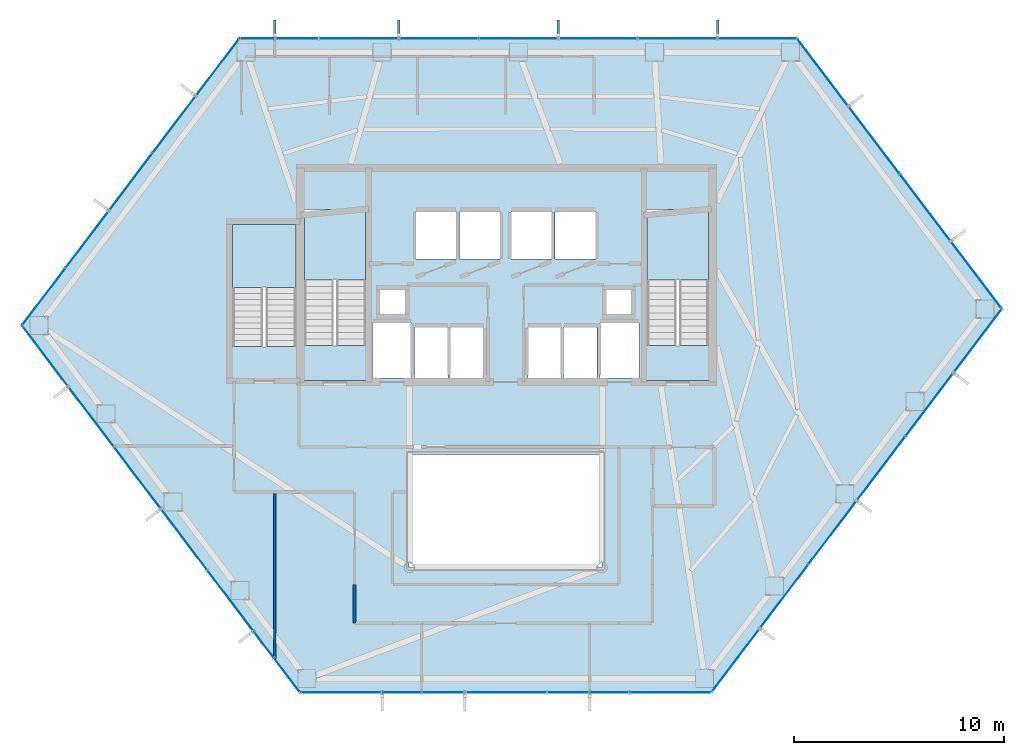
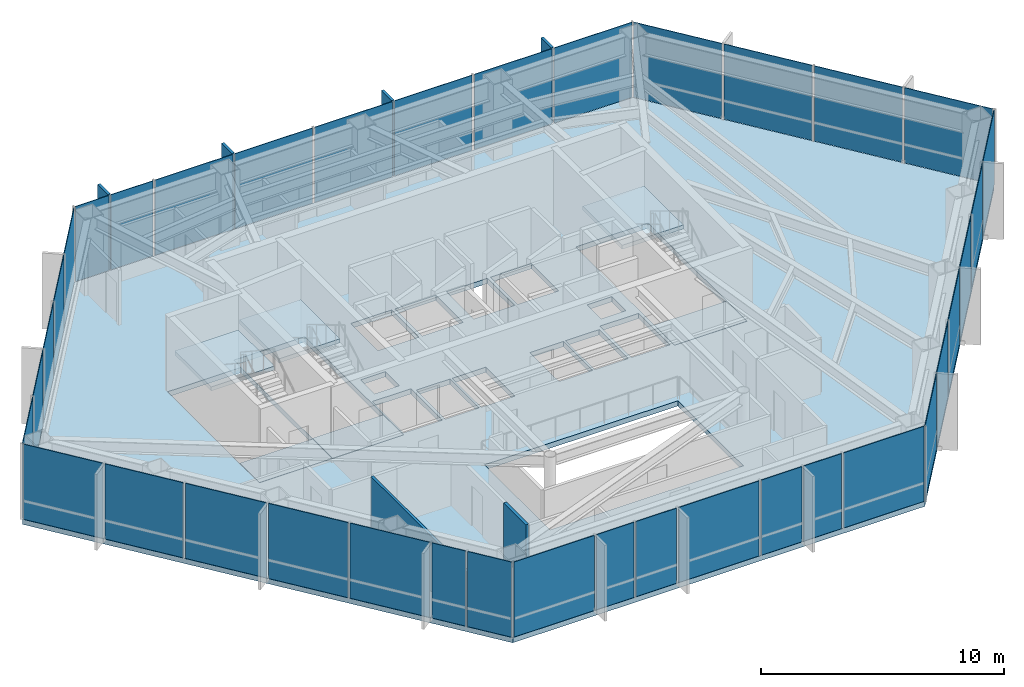
# One storey, part 21 of 25: 37 plates, 7 slabs, 4 members, 2 walls, 9 elements without a shape of their own.
"""IFC4 building model written with IfcOpenShell, lengths in metres."""

from ifc_helpers import new_model, si_unit, direction, frame, frame_2d, origin, origin_2d, place, context, subcontext, project, spatial, polyline, rectangle, outline, extrude, material, layer, layer_set, material_profile, profile_set, type_object, element, aggregate, save


model = new_model("IFC4")

# Units and contexts
model_context = context("Model", 3, precision=1e-05, world=origin(), true_north=direction((0.0, 1.0)))
body_context = subcontext(model_context, "Body", "Model", "MODEL_VIEW")
ifc_project = project(units=[si_unit("LENGTHUNIT", "METRE"), si_unit("AREAUNIT", "SQUARE_METRE"), si_unit("VOLUMEUNIT", "CUBIC_METRE"), si_unit("PLANEANGLEUNIT", "RADIAN"), si_unit("MASSUNIT", "GRAM", prefix="KILO")], contexts=[model_context])

# Site, building, storey
site_placement = place(None, origin())
site = spatial("IfcSite", under=ifc_project, at=site_placement, CompositionType="ELEMENT")
building_placement = place(site_placement, origin())
building = spatial("IfcBuilding", under=site, at=building_placement, Name="Zarrinselat Tower", CompositionType="ELEMENT")
storey_placement = place(building_placement, frame((0.0, 0.0, 88.739990234375)))
storey = spatial("IfcBuildingStorey", under=building, at=storey_placement, Name="L21", CompositionType="ELEMENT", Elevation=88.739990234375)

# Curtain wall, members, plates
ifc_material_1 = material(Name="Extruded Aluminium Alloy EN AW-6063 T6", Category="aluminium")
ifc_layer_1 = layer(ifc_material_1, 0.18505859375)
ifc_layer_set_1 = layer_set([ifc_layer_1], Name="Extruded Aluminium Alloy EN AW-6063 T6")
curtain_wall_type = type_object("IfcCurtainWallType", Name="CWS-OFF", PredefinedType="NOTDEFINED", material=ifc_layer_set_1)
curtain_wall_1_placement = place(storey_placement, origin())
curtain_wall_1 = element("IfcCurtainWall", 1, at=curtain_wall_1_placement, inside=storey, type_object=curtain_wall_type, Name="L21 Unitised Curtain Wall CW-L21-E01", PredefinedType="NOTDEFINED")
ifc_material_2 = material(Name="Honed Cream Travertine Stone", Category="masonry")
ifc_material_profile = material_profile(ifc_material_2, rectangle(XDim=0.1201171875, YDim=0.85009765625, at=origin_2d()), Name="FIN 850x120")
ifc_profile_set = profile_set([ifc_material_profile], Name="Honed Cream Travertine Stone")
member_type = type_object("IfcMemberType", Name="MEM-STONE-FIN", PredefinedType="USERDEFINED", material=ifc_profile_set)
member_1_placement = place(storey_placement, frame((48.493408203125, 50.07666015625, 0.0), z_axis=(0.0, 0.0, 1.0), x_axis=(1.0, 0.0, 0.0)))
member_1 = element("IfcMember", 2, at=member_1_placement, type_object=member_type, Name="L21 Stone Shading Fin CW-L21-E01-01", ObjectType="FIN", PredefinedType="USERDEFINED", context=body_context, shape_type="SweptSolid", body=[
    extrude(rectangle(XDim=0.1201171875, YDim=0.85009765625, at=origin_2d()), origin(), (0.0, 0.0, 1.0), 3.820068359375),
])
member_2_placement = place(storey_placement, frame((40.897216796875, 50.07666015625, 0.0), z_axis=(0.0, 0.0, 1.0), x_axis=(1.0, 0.0, 0.0)))
member_2 = element("IfcMember", 3, at=member_2_placement, type_object=member_type, Name="L21 Stone Shading Fin CW-L21-E01-03", ObjectType="FIN", PredefinedType="USERDEFINED", context=body_context, shape_type="SweptSolid", body=[
    extrude(rectangle(XDim=0.1201171875, YDim=0.85009765625, at=origin_2d()), origin(), (0.0, 0.0, 1.0), 3.820068359375),
])
member_3_placement = place(storey_placement, frame((33.30078125, 50.07666015625, 0.0), z_axis=(0.0, 0.0, 1.0), x_axis=(1.0, 0.0, 0.0)))
member_3 = element("IfcMember", 4, at=member_3_placement, type_object=member_type, Name="L21 Stone Shading Fin CW-L21-E01-05", ObjectType="FIN", PredefinedType="USERDEFINED", context=body_context, shape_type="SweptSolid", body=[
    extrude(rectangle(XDim=0.1201171875, YDim=0.85009765625, at=origin_2d()), origin(), (0.0, 0.0, 1.0), 3.820068359375),
])
member_4_placement = place(storey_placement, frame((27.39990234375, 50.07666015625, 0.0), z_axis=(0.0, 0.0, 1.0), x_axis=(1.0, 0.0, 0.0)))
member_4 = element("IfcMember", 5, at=member_4_placement, type_object=member_type, Name="L21 Stone Shading Fin CW-L21-E01-07", ObjectType="FIN", PredefinedType="USERDEFINED", context=body_context, shape_type="SweptSolid", body=[
    extrude(rectangle(XDim=0.1201171875, YDim=0.85009765625, at=origin_2d()), origin(), (0.0, 0.0, 1.0), 3.820068359375),
])
ifc_material_3 = material(Name="Double Low-E Laminated Solar Glass", Category="glass")
ifc_layer_2 = layer(ifc_material_3, 0.031982421875)
ifc_layer_set_2 = layer_set([ifc_layer_2], Name="Double Low-E Laminated Solar Glass")
plate_type = type_object("IfcPlateType", Name="PLT-CW-GL32", PredefinedType="CURTAIN_PANEL", material=ifc_layer_set_2)
plate_1_placement = place(storey_placement, frame((50.392333984375, 49.61669921875, 0.02001953125), z_axis=(0.0, 0.0, 1.0), x_axis=(-1.0, 0.0, 0.0)))
plate_1 = element("IfcPlate", 6, at=plate_1_placement, type_object=plate_type, Name="CW-L21-E01 Vision Glass Panel 1", PredefinedType="CURTAIN_PANEL", context=body_context, shape_type="SweptSolid", body=[
    extrude(rectangle(XDim=3.697998046875, YDim=0.031982421875, at=origin_2d()), origin(), (0.0, 0.0, 1.0), 3.780029296875),
])
plate_2_placement = place(storey_placement, frame((46.59423828125, 49.61669921875, 0.02001953125), z_axis=(0.0, 0.0, 1.0), x_axis=(-1.0, 0.0, 0.0)))
plate_2 = element("IfcPlate", 7, at=plate_2_placement, type_object=plate_type, Name="CW-L21-E01 Vision Glass Panel 2", PredefinedType="CURTAIN_PANEL", context=body_context, shape_type="SweptSolid", body=[
    extrude(rectangle(XDim=3.697998046875, YDim=0.031982421875, at=origin_2d()), origin(), (0.0, 0.0, 1.0), 3.780029296875),
])
plate_3_placement = place(storey_placement, frame((42.796142578125, 49.61669921875, 0.02001953125), z_axis=(0.0, 0.0, 1.0), x_axis=(-1.0, 0.0, 0.0)))
plate_3 = element("IfcPlate", 8, at=plate_3_placement, type_object=plate_type, Name="CW-L21-E01 Vision Glass Panel 3", PredefinedType="CURTAIN_PANEL", context=body_context, shape_type="SweptSolid", body=[
    extrude(rectangle(XDim=3.697998046875, YDim=0.031982421875, at=origin_2d()), origin(), (0.0, 0.0, 1.0), 3.780029296875),
])
plate_4_placement = place(storey_placement, frame((38.998046875, 49.61669921875, 0.02001953125), z_axis=(0.0, 0.0, 1.0), x_axis=(-1.0, 0.0, 0.0)))
plate_4 = element("IfcPlate", 9, at=plate_4_placement, type_object=plate_type, Name="CW-L21-E01 Vision Glass Panel 4", PredefinedType="CURTAIN_PANEL", context=body_context, shape_type="SweptSolid", body=[
    extrude(rectangle(XDim=3.697998046875, YDim=0.031982421875, at=origin_2d()), origin(), (0.0, 0.0, 1.0), 3.780029296875),
])
plate_5_placement = place(storey_placement, frame((35.199951171875, 49.61669921875, 0.02001953125), z_axis=(0.0, 0.0, 1.0), x_axis=(-1.0, 0.0, 0.0)))
plate_5 = element("IfcPlate", 10, at=plate_5_placement, type_object=plate_type, Name="CW-L21-E01 Vision Glass Panel 5", PredefinedType="CURTAIN_PANEL", context=body_context, shape_type="SweptSolid", body=[
    extrude(rectangle(XDim=3.697998046875, YDim=0.031982421875, at=origin_2d()), origin(), (0.0, 0.0, 1.0), 3.780029296875),
])
plate_6_placement = place(storey_placement, frame((31.401611328125, 49.61669921875, 0.02001953125), z_axis=(0.0, 0.0, 1.0), x_axis=(-1.0, 0.0, 0.0)))
plate_6 = element("IfcPlate", 11, at=plate_6_placement, type_object=plate_type, Name="CW-L21-E01 Vision Glass Panel 6", PredefinedType="CURTAIN_PANEL", context=body_context, shape_type="SweptSolid", body=[
    extrude(rectangle(XDim=3.697998046875, YDim=0.031982421875, at=origin_2d()), origin(), (0.0, 0.0, 1.0), 3.780029296875),
])
plate_7_placement = place(storey_placement, frame((28.451416015625, 49.61669921875, 0.02001953125), z_axis=(0.0, 0.0, 1.0), x_axis=(-1.0, 0.0, 0.0)))
plate_7 = element("IfcPlate", 12, at=plate_7_placement, type_object=plate_type, Name="CW-L21-E01 Vision Glass Panel 7", PredefinedType="CURTAIN_PANEL", context=body_context, shape_type="SweptSolid", body=[
    extrude(rectangle(XDim=2.002685546875, YDim=0.031982421875, at=origin_2d()), origin(), (0.0, 0.0, 1.0), 3.780029296875),
])
plate_8_placement = place(storey_placement, frame((26.55224609375, 49.61669921875, 0.02001953125), z_axis=(0.0, 0.0, 1.0), x_axis=(-1.0, 0.0, 0.0)))
plate_8 = element("IfcPlate", 13, at=plate_8_placement, type_object=plate_type, Name="CW-L21-E01 Vision Glass Panel 8", PredefinedType="CURTAIN_PANEL", context=body_context, shape_type="SweptSolid", body=[
    extrude(rectangle(XDim=1.595458984375, YDim=0.031982421875, at=origin_2d()), origin(), (0.0, 0.0, 1.0), 3.780029296875),
])
aggregate(curtain_wall_1, [member_1, member_2, member_3, member_4, plate_1, plate_2, plate_3, plate_4, plate_5, plate_6, plate_7, plate_8])

# Curtain wall, plates
curtain_wall_2_placement = place(storey_placement, origin())
curtain_wall_2 = element("IfcCurtainWall", 14, at=curtain_wall_2_placement, inside=storey, type_object=curtain_wall_type, Name="L21 Unitised Curtain Wall CW-L21-E02", PredefinedType="NOTDEFINED")
plate_9_placement = place(storey_placement, frame((24.668701171875, 48.24951171875, 0.02001953125), z_axis=(0.0, 0.0, 1.0), x_axis=(-0.603857014451, -0.797092658414, 0.0)))
plate_9 = element("IfcPlate", 15, at=plate_9_placement, type_object=plate_type, Name="CW-L21-E02 Vision Glass Panel 1", PredefinedType="CURTAIN_PANEL", context=body_context, shape_type="SweptSolid", body=[
    extrude(rectangle(XDim=3.330078125, YDim=0.031982421875, at=origin_2d()), origin(), (0.0, 0.0, 1.0), 3.780029296875),
])
plate_10_placement = place(storey_placement, frame((22.597412109375, 45.515380859375, 0.02001953125), z_axis=(0.0, 0.0, 1.0), x_axis=(-0.603857014451, -0.797092658414, 0.0)))
plate_10 = element("IfcPlate", 16, at=plate_10_placement, type_object=plate_type, Name="CW-L21-E02 Vision Glass Panel 2", PredefinedType="CURTAIN_PANEL", context=body_context, shape_type="SweptSolid", body=[
    extrude(rectangle(XDim=3.330078125, YDim=0.031982421875, at=origin_2d()), origin(), (0.0, 0.0, 1.0), 3.780029296875),
])
plate_11_placement = place(storey_placement, frame((20.526123046875, 42.78125, 0.02001953125), z_axis=(0.0, 0.0, 1.0), x_axis=(-0.603857014451, -0.797092658414, 0.0)))
plate_11 = element("IfcPlate", 17, at=plate_11_placement, type_object=plate_type, Name="CW-L21-E02 Vision Glass Panel 3", PredefinedType="CURTAIN_PANEL", context=body_context, shape_type="SweptSolid", body=[
    extrude(rectangle(XDim=3.330078125, YDim=0.031982421875, at=origin_2d()), origin(), (0.0, 0.0, 1.0), 3.780029296875),
])
plate_12_placement = place(storey_placement, frame((18.45458984375, 40.047119140625, 0.02001953125), z_axis=(0.0, 0.0, 1.0), x_axis=(-0.603857014451, -0.797092658414, 0.0)))
plate_12 = element("IfcPlate", 18, at=plate_12_placement, type_object=plate_type, Name="CW-L21-E02 Vision Glass Panel 4", PredefinedType="CURTAIN_PANEL", context=body_context, shape_type="SweptSolid", body=[
    extrude(rectangle(XDim=3.330078125, YDim=0.031982421875, at=origin_2d()), origin(), (0.0, 0.0, 1.0), 3.780029296875),
])
plate_13_placement = place(storey_placement, frame((16.38330078125, 37.312744140625, 0.02001953125), z_axis=(0.0, 0.0, 1.0), x_axis=(-0.603857014451, -0.797092658414, 0.0)))
plate_13 = element("IfcPlate", 19, at=plate_13_placement, type_object=plate_type, Name="CW-L21-E02 Vision Glass Panel 5", PredefinedType="CURTAIN_PANEL", context=body_context, shape_type="SweptSolid", body=[
    extrude(rectangle(XDim=3.330078125, YDim=0.031982421875, at=origin_2d()), origin(), (0.0, 0.0, 1.0), 3.780029296875),
])
aggregate(curtain_wall_2, [plate_9, plate_10, plate_11, plate_12, plate_13])

curtain_wall_3_placement = place(storey_placement, origin())
curtain_wall_3 = element("IfcCurtainWall", 20, at=curtain_wall_3_placement, inside=storey, type_object=curtain_wall_type, Name="L21 Unitised Curtain Wall CW-L21-E03", PredefinedType="NOTDEFINED")
plate_14_placement = place(storey_placement, frame((16.45166015625, 34.488525390625, 0.02001953125), z_axis=(0.0, 0.0, 1.0), x_axis=(0.603856459269, -0.797093079006, 0.0)))
plate_14 = element("IfcPlate", 21, at=plate_14_placement, type_object=plate_type, Name="CW-L21-E03 Vision Glass Panel 1", PredefinedType="CURTAIN_PANEL", context=body_context, shape_type="SweptSolid", body=[
    extrude(rectangle(XDim=3.55615234375, YDim=0.031982421875, at=origin_2d()), origin(), (0.0, 0.0, 1.0), 3.780029296875),
])
plate_15_placement = place(storey_placement, frame((18.6416015625, 31.59765625, 0.02001953125), z_axis=(0.0, 0.0, 1.0), x_axis=(0.603856459269, -0.797093079006, 0.0)))
plate_15 = element("IfcPlate", 22, at=plate_15_placement, type_object=plate_type, Name="CW-L21-E03 Vision Glass Panel 2", PredefinedType="CURTAIN_PANEL", context=body_context, shape_type="SweptSolid", body=[
    extrude(rectangle(XDim=3.497802734375, YDim=0.031982421875, at=origin_2d()), origin(), (0.0, 0.0, 1.0), 3.780029296875),
])
plate_16_placement = place(storey_placement, frame((20.849609375, 28.683349609375, 0.02001953125), z_axis=(0.0, 0.0, 1.0), x_axis=(0.603856459269, -0.797093079006, 0.0)))
plate_16 = element("IfcPlate", 23, at=plate_16_placement, type_object=plate_type, Name="CW-L21-E03 Vision Glass Panel 3", PredefinedType="CURTAIN_PANEL", context=body_context, shape_type="SweptSolid", body=[
    extrude(rectangle(XDim=3.614501953125, YDim=0.031982421875, at=origin_2d()), origin(), (0.0, 0.0, 1.0), 3.780029296875),
])
plate_17_placement = place(storey_placement, frame((23.074951171875, 25.74560546875, 0.02001953125), z_axis=(0.0, 0.0, 1.0), x_axis=(0.603856459269, -0.797093079006, 0.0)))
plate_17 = element("IfcPlate", 24, at=plate_17_placement, type_object=plate_type, Name="CW-L21-E03 Vision Glass Panel 4", PredefinedType="CURTAIN_PANEL", context=body_context, shape_type="SweptSolid", body=[
    extrude(rectangle(XDim=3.55615234375, YDim=0.031982421875, at=origin_2d()), origin(), (0.0, 0.0, 1.0), 3.780029296875),
])
plate_18_placement = place(storey_placement, frame((25.28271484375, 22.831298828125, 0.02001953125), z_axis=(0.0, 0.0, 1.0), x_axis=(0.603856459269, -0.797093079006, 0.0)))
plate_18 = element("IfcPlate", 25, at=plate_18_placement, type_object=plate_type, Name="CW-L21-E03 Vision Glass Panel 5", PredefinedType="CURTAIN_PANEL", context=body_context, shape_type="SweptSolid", body=[
    extrude(rectangle(XDim=3.55615234375, YDim=0.031982421875, at=origin_2d()), origin(), (0.0, 0.0, 1.0), 3.780029296875),
])
plate_19_placement = place(storey_placement, frame((26.869384765625, 20.737060546875, 0.02001953125), z_axis=(0.0, 0.0, 1.0), x_axis=(0.603856459269, -0.797093079006, 0.0)))
plate_19 = element("IfcPlate", 26, at=plate_19_placement, type_object=plate_type, Name="CW-L21-E03 Vision Glass Panel 6", PredefinedType="CURTAIN_PANEL", context=body_context, shape_type="SweptSolid", body=[
    extrude(rectangle(XDim=1.4990234375, YDim=0.031982421875, at=origin_2d()), origin(), (0.0, 0.0, 1.0), 3.780029296875),
])
plate_20_placement = place(storey_placement, frame((27.973388671875, 19.27978515625, 0.02001953125), z_axis=(0.0, 0.0, 1.0), x_axis=(0.603856459269, -0.797093079006, 0.0)))
plate_20 = element("IfcPlate", 27, at=plate_20_placement, type_object=plate_type, Name="CW-L21-E03 Vision Glass Panel 7", PredefinedType="CURTAIN_PANEL", context=body_context, shape_type="SweptSolid", body=[
    extrude(rectangle(XDim=1.957275390625, YDim=0.031982421875, at=origin_2d()), origin(), (0.0, 0.0, 1.0), 3.780029296875),
])
aggregate(curtain_wall_3, [plate_14, plate_15, plate_16, plate_17, plate_18, plate_19, plate_20])

curtain_wall_4_placement = place(storey_placement, origin())
curtain_wall_4 = element("IfcCurtainWall", 28, at=curtain_wall_4_placement, inside=storey, type_object=curtain_wall_type, Name="L21 Unitised Curtain Wall CW-L21-E04", PredefinedType="NOTDEFINED")
plate_21_placement = place(storey_placement, frame((30.555419921875, 18.4599609375, 0.02001953125), z_axis=(0.0, 0.0, 1.0), x_axis=(1.0, 0.0, 0.0)))
plate_21 = element("IfcPlate", 29, at=plate_21_placement, type_object=plate_type, Name="CW-L21-E04 Vision Glass Panel 1", PredefinedType="CURTAIN_PANEL", context=body_context, shape_type="SweptSolid", body=[
    extrude(rectangle(XDim=3.822265625, YDim=0.031982421875, at=origin_2d()), origin(), (0.0, 0.0, 1.0), 3.780029296875),
])
plate_22_placement = place(storey_placement, frame((33.458251953125, 18.4599609375, 0.02001953125), z_axis=(0.0, 0.0, 1.0), x_axis=(1.0, 0.0, 0.0)))
plate_22 = element("IfcPlate", 30, at=plate_22_placement, type_object=plate_type, Name="CW-L21-E04 Vision Glass Panel 2", PredefinedType="CURTAIN_PANEL", context=body_context, shape_type="SweptSolid", body=[
    extrude(rectangle(XDim=1.783447265625, YDim=0.031982421875, at=origin_2d()), origin(), (0.0, 0.0, 1.0), 3.780029296875),
])
plate_23_placement = place(storey_placement, frame((35.41943359375, 18.4599609375, 0.02001953125), z_axis=(0.0, 0.0, 1.0), x_axis=(1.0, 0.0, 0.0)))
plate_23 = element("IfcPlate", 31, at=plate_23_placement, type_object=plate_type, Name="CW-L21-E04 Vision Glass Panel 3", PredefinedType="CURTAIN_PANEL", context=body_context, shape_type="SweptSolid", body=[
    extrude(rectangle(XDim=1.93896484375, YDim=0.031982421875, at=origin_2d()), origin(), (0.0, 0.0, 1.0), 3.780029296875),
])
plate_24_placement = place(storey_placement, frame((38.39990234375, 18.4599609375, 0.02001953125), z_axis=(0.0, 0.0, 1.0), x_axis=(1.0, 0.0, 0.0)))
plate_24 = element("IfcPlate", 32, at=plate_24_placement, type_object=plate_type, Name="CW-L21-E04 Vision Glass Panel 4", PredefinedType="CURTAIN_PANEL", context=body_context, shape_type="SweptSolid", body=[
    extrude(rectangle(XDim=3.822265625, YDim=0.031982421875, at=origin_2d()), origin(), (0.0, 0.0, 1.0), 3.780029296875),
])
plate_25_placement = place(storey_placement, frame((41.380615234375, 18.4599609375, 0.02001953125), z_axis=(0.0, 0.0, 1.0), x_axis=(1.0, 0.0, 0.0)))
plate_25 = element("IfcPlate", 33, at=plate_25_placement, type_object=plate_type, Name="CW-L21-E04 Vision Glass Panel 5", PredefinedType="CURTAIN_PANEL", context=body_context, shape_type="SweptSolid", body=[
    extrude(rectangle(XDim=1.93896484375, YDim=0.031982421875, at=origin_2d()), origin(), (0.0, 0.0, 1.0), 3.780029296875),
])
plate_26_placement = place(storey_placement, frame((43.341796875, 18.4599609375, 0.02001953125), z_axis=(0.0, 0.0, 1.0), x_axis=(1.0, 0.0, 0.0)))
plate_26 = element("IfcPlate", 34, at=plate_26_placement, type_object=plate_type, Name="CW-L21-E04 Vision Glass Panel 6", PredefinedType="CURTAIN_PANEL", context=body_context, shape_type="SweptSolid", body=[
    extrude(rectangle(XDim=1.783447265625, YDim=0.031982421875, at=origin_2d()), origin(), (0.0, 0.0, 1.0), 3.780029296875),
])
plate_27_placement = place(storey_placement, frame((46.244384765625, 18.4599609375, 0.02001953125), z_axis=(0.0, 0.0, 1.0), x_axis=(1.0, 0.0, 0.0)))
plate_27 = element("IfcPlate", 35, at=plate_27_placement, type_object=plate_type, Name="CW-L21-E04 Vision Glass Panel 7", PredefinedType="CURTAIN_PANEL", context=body_context, shape_type="SweptSolid", body=[
    extrude(rectangle(XDim=3.822265625, YDim=0.031982421875, at=origin_2d()), origin(), (0.0, 0.0, 1.0), 3.780029296875),
])
aggregate(curtain_wall_4, [plate_21, plate_22, plate_23, plate_24, plate_25, plate_26, plate_27])

curtain_wall_5_placement = place(storey_placement, origin())
curtain_wall_5 = element("IfcCurtainWall", 36, at=curtain_wall_5_placement, inside=storey, type_object=curtain_wall_type, Name="L21 Unitised Curtain Wall CW-L21-E05", PredefinedType="NOTDEFINED")
plate_28_placement = place(storey_placement, frame((49.359375, 19.98291015625, 0.02001953125), z_axis=(0.0, 0.0, 1.0), x_axis=(0.603855672579, 0.797093674981, 0.0)))
plate_28 = element("IfcPlate", 37, at=plate_28_placement, type_object=plate_type, Name="CW-L21-E05 Vision Glass Panel 1", PredefinedType="CURTAIN_PANEL", context=body_context, shape_type="SweptSolid", body=[
    extrude(rectangle(XDim=3.72119140625, YDim=0.031982421875, at=origin_2d()), origin(), (0.0, 0.0, 1.0), 3.780029296875),
])
plate_29_placement = place(storey_placement, frame((51.666748046875, 23.02880859375, 0.02001953125), z_axis=(0.0, 0.0, 1.0), x_axis=(0.603855672579, 0.797093674981, 0.0)))
plate_29 = element("IfcPlate", 38, at=plate_29_placement, type_object=plate_type, Name="CW-L21-E05 Vision Glass Panel 2", PredefinedType="CURTAIN_PANEL", context=body_context, shape_type="SweptSolid", body=[
    extrude(rectangle(XDim=3.72119140625, YDim=0.031982421875, at=origin_2d()), origin(), (0.0, 0.0, 1.0), 3.780029296875),
])
plate_30_placement = place(storey_placement, frame((53.97412109375, 26.07470703125, 0.02001953125), z_axis=(0.0, 0.0, 1.0), x_axis=(0.603855672579, 0.797093674981, 0.0)))
plate_30 = element("IfcPlate", 39, at=plate_30_placement, type_object=plate_type, Name="CW-L21-E05 Vision Glass Panel 3", PredefinedType="CURTAIN_PANEL", context=body_context, shape_type="SweptSolid", body=[
    extrude(rectangle(XDim=3.72119140625, YDim=0.031982421875, at=origin_2d()), origin(), (0.0, 0.0, 1.0), 3.780029296875),
])
plate_31_placement = place(storey_placement, frame((56.28173828125, 29.12060546875, 0.02001953125), z_axis=(0.0, 0.0, 1.0), x_axis=(0.603855672579, 0.797093674981, 0.0)))
plate_31 = element("IfcPlate", 40, at=plate_31_placement, type_object=plate_type, Name="CW-L21-E05 Vision Glass Panel 4", PredefinedType="CURTAIN_PANEL", context=body_context, shape_type="SweptSolid", body=[
    extrude(rectangle(XDim=3.72119140625, YDim=0.031982421875, at=origin_2d()), origin(), (0.0, 0.0, 1.0), 3.780029296875),
])
plate_32_placement = place(storey_placement, frame((58.589111328125, 32.166259765625, 0.02001953125), z_axis=(0.0, 0.0, 1.0), x_axis=(0.603855672579, 0.797093674981, 0.0)))
plate_32 = element("IfcPlate", 41, at=plate_32_placement, type_object=plate_type, Name="CW-L21-E05 Vision Glass Panel 5", PredefinedType="CURTAIN_PANEL", context=body_context, shape_type="SweptSolid", body=[
    extrude(rectangle(XDim=3.72119140625, YDim=0.031982421875, at=origin_2d()), origin(), (0.0, 0.0, 1.0), 3.780029296875),
])
plate_33_placement = place(storey_placement, frame((60.896484375, 35.212158203125, 0.02001953125), z_axis=(0.0, 0.0, 1.0), x_axis=(0.603855672579, 0.797093674981, 0.0)))
plate_33 = element("IfcPlate", 42, at=plate_33_placement, type_object=plate_type, Name="CW-L21-E05 Vision Glass Panel 6", PredefinedType="CURTAIN_PANEL", context=body_context, shape_type="SweptSolid", body=[
    extrude(rectangle(XDim=3.72119140625, YDim=0.031982421875, at=origin_2d()), origin(), (0.0, 0.0, 1.0), 3.780029296875),
])
aggregate(curtain_wall_5, [plate_28, plate_29, plate_30, plate_31, plate_32, plate_33])

curtain_wall_6_placement = place(storey_placement, origin())
curtain_wall_6 = element("IfcCurtainWall", 43, at=curtain_wall_6_placement, inside=storey, type_object=curtain_wall_type, Name="L21 Unitised Curtain Wall CW-L21-E06", PredefinedType="NOTDEFINED")
plate_34_placement = place(storey_placement, frame((60.830322265625, 38.34521484375, 0.02001953125), z_axis=(0.0, 0.0, 1.0), x_axis=(-0.603858164533, 0.797091787141, 0.0)))
plate_34 = element("IfcPlate", 44, at=plate_34_placement, type_object=plate_type, Name="CW-L21-E06 Vision Glass Panel 1", PredefinedType="CURTAIN_PANEL", context=body_context, shape_type="SweptSolid", body=[
    extrude(rectangle(XDim=3.940185546875, YDim=0.031982421875, at=origin_2d()), origin(), (0.0, 0.0, 1.0), 3.780029296875),
])
plate_35_placement = place(storey_placement, frame((58.390625, 41.565673828125, 0.02001953125), z_axis=(0.0, 0.0, 1.0), x_axis=(-0.603858164533, 0.797091787141, 0.0)))
plate_35 = element("IfcPlate", 45, at=plate_35_placement, type_object=plate_type, Name="CW-L21-E06 Vision Glass Panel 2", PredefinedType="CURTAIN_PANEL", context=body_context, shape_type="SweptSolid", body=[
    extrude(rectangle(XDim=3.940185546875, YDim=0.031982421875, at=origin_2d()), origin(), (0.0, 0.0, 1.0), 3.780029296875),
])
plate_36_placement = place(storey_placement, frame((55.950927734375, 44.7861328125, 0.02001953125), z_axis=(0.0, 0.0, 1.0), x_axis=(-0.603858164533, 0.797091787141, 0.0)))
plate_36 = element("IfcPlate", 46, at=plate_36_placement, type_object=plate_type, Name="CW-L21-E06 Vision Glass Panel 3", PredefinedType="CURTAIN_PANEL", context=body_context, shape_type="SweptSolid", body=[
    extrude(rectangle(XDim=3.940185546875, YDim=0.031982421875, at=origin_2d()), origin(), (0.0, 0.0, 1.0), 3.780029296875),
])
plate_37_placement = place(storey_placement, frame((53.511474609375, 48.006591796875, 0.02001953125), z_axis=(0.0, 0.0, 1.0), x_axis=(-0.603858164533, 0.797091787141, 0.0)))
plate_37 = element("IfcPlate", 47, at=plate_37_placement, type_object=plate_type, Name="CW-L21-E06 Vision Glass Panel 4", PredefinedType="CURTAIN_PANEL", context=body_context, shape_type="SweptSolid", body=[
    extrude(rectangle(XDim=3.940185546875, YDim=0.031982421875, at=origin_2d()), origin(), (0.0, 0.0, 1.0), 3.780029296875),
])
aggregate(curtain_wall_6, [plate_34, plate_35, plate_36, plate_37])

# Slabs
ifc_material_4 = material(Name="Concrete C40/50", Category="concrete")
ifc_layer_3 = layer(ifc_material_4, 0.260009765625)
ifc_layer_set_3 = layer_set([ifc_layer_3], Name="Concrete C40/50")
slab_type_1 = type_object("IfcSlabType", Name="SLB-FLOOR-260-SL-OF260", PredefinedType="FLOOR", material=ifc_layer_set_3)
slab_1_placement = place(storey_placement, frame((0.0, 0.0, -0.260009765625)))
element("IfcSlab", 48, at=slab_1_placement, inside=storey, type_object=slab_type_1, Name="L21 Primary Structural Slab", PredefinedType="FLOOR", context=body_context, shape_type="SweptSolid", body=[
    extrude(outline(polyline([(52.29150390625, 49.61669921875), (25.70458984375, 49.61669921875), (15.34765625, 35.94580078125), (28.594482421875, 18.4599609375), (48.20556640625, 18.4599609375), (62.05029296875, 36.735107421875), (52.29150390625, 49.61669921875)]), holes=[polyline([(34.050048828125, 33.449951171875), (34.050048828125, 35.85009765625), (35.64990234375, 35.85009765625), (35.64990234375, 33.449951171875), (34.050048828125, 33.449951171875)]), polyline([(35.75, 33.449951171875), (35.75, 35.85009765625), (37.35009765625, 35.85009765625), (37.35009765625, 33.449951171875), (35.75, 33.449951171875)]), polyline([(32.06005859375, 33.449951171875), (32.06005859375, 36.050048828125), (33.89990234375, 36.050048828125), (33.89990234375, 33.449951171875), (32.06005859375, 33.449951171875)]), polyline([(32.419921875, 36.47998046875), (32.419921875, 37.639892578125), (33.60009765625, 37.639892578125), (33.60009765625, 36.47998046875), (32.419921875, 36.47998046875)]), polyline([(28.594970703125, 33.324951171875), (25.114990234375, 33.324951171875), (25.114990234375, 40.875), (28.594970703125, 40.875), (28.594970703125, 33.324951171875)]), polyline([(31.985107421875, 33.324951171875), (28.60498046875, 33.324951171875), (28.60498046875, 41.47509765625), (31.985107421875, 41.47509765625), (31.985107421875, 33.324951171875)]), polyline([(34.10009765625, 39.10009765625), (34.10009765625, 41.35009765625), (36.050048828125, 41.35009765625), (36.050048828125, 39.10009765625), (34.10009765625, 39.10009765625)]), polyline([(36.199951171875, 39.10009765625), (36.199951171875, 41.35009765625), (38.14990234375, 41.35009765625), (38.14990234375, 39.10009765625), (36.199951171875, 39.10009765625)]), polyline([(33.800048828125, 24.39990234375), (33.800048828125, 29.800048828125), (43.0, 29.800048828125), (43.0, 24.39990234375), (33.800048828125, 24.39990234375)]), polyline([(39.449951171875, 33.449951171875), (39.449951171875, 35.85009765625), (41.050048828125, 35.85009765625), (41.050048828125, 33.449951171875), (39.449951171875, 33.449951171875)]), polyline([(41.14990234375, 33.449951171875), (41.14990234375, 35.85009765625), (42.75, 35.85009765625), (42.75, 33.449951171875), (41.14990234375, 33.449951171875)]), polyline([(42.89990234375, 33.449951171875), (42.89990234375, 36.050048828125), (44.739990234375, 36.050048828125), (44.739990234375, 33.449951171875), (42.89990234375, 33.449951171875)]), polyline([(43.199951171875, 36.47998046875), (43.199951171875, 37.639892578125), (44.3798828125, 37.639892578125), (44.3798828125, 36.47998046875), (43.199951171875, 36.47998046875)]), polyline([(48.324951171875, 33.324951171875), (44.875, 33.324951171875), (44.875, 41.47509765625), (48.324951171875, 41.47509765625), (48.324951171875, 33.324951171875)]), polyline([(38.64990234375, 39.10009765625), (38.64990234375, 41.35009765625), (40.60009765625, 41.35009765625), (40.60009765625, 39.10009765625), (38.64990234375, 39.10009765625)]), polyline([(40.75, 39.10009765625), (40.75, 41.35009765625), (42.699951171875, 41.35009765625), (42.699951171875, 39.10009765625), (40.75, 39.10009765625)])]), origin(), (0.0, 0.0, 1.0), 0.260009765625),
])
slab_2_placement = place(storey_placement, frame((0.0, 0.0, -0.260009765625)))
element("IfcSlab", 49, at=slab_2_placement, inside=storey, type_object=slab_type_1, Name="L21 Stair ST-1-FL1 Structural Floor Landing", PredefinedType="FLOOR", context=body_context, shape_type="SweptSolid", body=[
    extrude(outline(polyline([(31.97998046875, 33.330078125), (31.97998046875, 35.0), (28.610107421875, 35.0), (28.610107421875, 33.330078125), (31.97998046875, 33.330078125)])), origin(), (0.0, 0.0, 1.0), 0.260009765625),
])
slab_3_placement = place(storey_placement, frame((0.0, 0.0, -0.260009765625)))
element("IfcSlab", 50, at=slab_3_placement, inside=storey, type_object=slab_type_1, Name="L21 Stair ST-2-FL1 Structural Floor Landing", PredefinedType="FLOOR", context=body_context, shape_type="SweptSolid", body=[
    extrude(outline(polyline([(48.320068359375, 33.330078125), (48.320068359375, 35.0), (44.8798828125, 35.0), (44.8798828125, 33.330078125), (48.320068359375, 33.330078125)])), origin(), (0.0, 0.0, 1.0), 0.260009765625),
])
slab_4_placement = place(storey_placement, frame((0.0, 0.0, -0.260009765625)))
element("IfcSlab", 51, at=slab_4_placement, inside=storey, type_object=slab_type_1, Name="L21 Stair ST-3-FL1 Structural Floor Landing", PredefinedType="FLOOR", context=body_context, shape_type="SweptSolid", body=[
    extrude(outline(polyline([(28.590087890625, 33.330078125), (28.590087890625, 34.949951171875), (25.1201171875, 34.949951171875), (25.1201171875, 33.330078125), (28.590087890625, 33.330078125)])), origin(), (0.0, 0.0, 1.0), 0.260009765625),
])

# Stair, slab
ifc_material_5 = material(Name="Concrete C40/50", Category="concrete")
stair_type_1 = type_object("IfcStairType", Name="STR-CORE-145", PredefinedType="HALF_TURN_STAIR", material=ifc_material_5)
stair_1_placement = place(storey_placement, origin())
stair_1 = element("IfcStair", 52, at=stair_1_placement, inside=storey, type_object=stair_type_1, Name="L21 Podium & Mid-Tower Exit Stair 3", PredefinedType="HALF_TURN_STAIR")
ifc_material_6 = material(Name="Concrete C40/50", Category="concrete")
ifc_layer_4 = layer(ifc_material_6, 0.1650390625)
ifc_layer_set_4 = layer_set([ifc_layer_4], Name="Concrete C40/50")
slab_type_2 = type_object("IfcSlabType", Name="SLB-LND-165", PredefinedType="LANDING", material=ifc_layer_set_4)
slab_5_placement = place(storey_placement, frame((0.0, 0.0, 1.840087890625)))
slab_5 = element("IfcSlab", 53, at=slab_5_placement, type_object=slab_type_2, Name="ST-3 landing 1", PredefinedType="LANDING", context=body_context, shape_type="SweptSolid", body=[
    extrude(outline(polyline([(28.39990234375, 37.75), (28.39990234375, 40.75), (25.3798828125, 40.75), (25.3798828125, 37.75), (28.39990234375, 37.75)])), origin(), (0.0, 0.0, 1.0), 0.199951171875),
])
aggregate(stair_1, [slab_5])

ifc_material_7 = material(Name="Concrete C40/50", Category="concrete")
stair_type_2 = type_object("IfcStairType", Name="STR-CORE-155", PredefinedType="HALF_TURN_STAIR", material=ifc_material_7)
stair_2_placement = place(storey_placement, origin())
stair_2 = element("IfcStair", 54, at=stair_2_placement, inside=storey, type_object=stair_type_2, Name="L21 Core Exit Stair 1", PredefinedType="HALF_TURN_STAIR")
ifc_material_8 = material(Name="Concrete C40/50", Category="concrete")
ifc_layer_5 = layer(ifc_material_8, 0.18994140625)
ifc_layer_set_5 = layer_set([ifc_layer_5], Name="Concrete C40/50")
slab_type_3 = type_object("IfcSlabType", Name="SLB-LND-190", PredefinedType="LANDING", material=ifc_layer_set_5)
slab_6_placement = place(storey_placement, frame((0.0, 0.0, 1.840087890625)))
slab_6 = element("IfcSlab", 55, at=slab_6_placement, type_object=slab_type_3, Name="ST-1 landing 1", PredefinedType="LANDING", context=body_context, shape_type="SweptSolid", body=[
    extrude(outline(polyline([(31.719970703125, 38.10009765625), (31.719970703125, 41.35009765625), (28.800048828125, 41.35009765625), (28.800048828125, 38.10009765625), (31.719970703125, 38.10009765625)])), origin(), (0.0, 0.0, 1.0), 0.199951171875),
])
aggregate(stair_2, [slab_6])

stair_3_placement = place(storey_placement, origin())
stair_3 = element("IfcStair", 56, at=stair_3_placement, inside=storey, type_object=stair_type_2, Name="L21 Core Exit Stair 2", PredefinedType="HALF_TURN_STAIR")
slab_7_placement = place(storey_placement, frame((0.0, 0.0, 1.840087890625)))
slab_7 = element("IfcSlab", 57, at=slab_7_placement, type_object=slab_type_3, Name="ST-2 landing 1", PredefinedType="LANDING", context=body_context, shape_type="SweptSolid", body=[
    extrude(outline(polyline([(48.06005859375, 38.10009765625), (48.06005859375, 41.35009765625), (45.139892578125, 41.35009765625), (45.139892578125, 38.10009765625), (48.06005859375, 38.10009765625)])), origin(), (0.0, 0.0, 1.0), 0.199951171875),
])
aggregate(stair_3, [slab_7])

# Walls
ifc_material_9 = material(Name="Fire-Rated Gypsum Board Partition", Category="gypsum")
ifc_layer_6 = layer(ifc_material_9, 0.14990234375)
ifc_layer_set_6 = layer_set([ifc_layer_6], Name="Fire-Rated Gypsum Board Partition")
wall_type_1 = type_object("IfcWallType", Name="WAL-PART-EI60", PredefinedType="PARTITIONING", material=ifc_layer_set_6)
wall_1_placement = place(storey_placement, frame((31.199951171875, 21.77001953125, 0.0), z_axis=(0.0, 0.0, 1.0), x_axis=(0.0, 1.0, 0.0)))
element("IfcWall", 58, at=wall_1_placement, inside=storey, type_object=wall_type_1, Name="L21 Partition Wall 19", PredefinedType="PARTITIONING", context=body_context, shape_type="SweptSolid", body=[
    extrude(rectangle(XDim=1.830078125, YDim=0.14990234375, at=frame_2d((0.9150390625, 0.0))), origin(), (0.0, 0.0, 1.0), 2.777099609375),
])
ifc_material_10 = material(Name="Fire-Rated Gypsum Board Partition", Category="gypsum")
ifc_layer_7 = layer(ifc_material_10, 0.1201171875)
ifc_layer_set_7 = layer_set([ifc_layer_7], Name="Fire-Rated Gypsum Board Partition")
wall_type_2 = type_object("IfcWallType", Name="WAL-PART-STD", PredefinedType="PARTITIONING", material=ifc_layer_set_7)
wall_2_placement = place(storey_placement, frame((27.39990234375, 20.051513671875, 0.0), z_axis=(0.0, 0.0, 1.0), x_axis=(0.0, 1.0, 0.0)))
element("IfcWall", 59, at=wall_2_placement, inside=storey, type_object=wall_type_2, Name="L21 Partition Wall 46", PredefinedType="PARTITIONING", context=body_context, shape_type="SweptSolid", body=[
    extrude(rectangle(XDim=7.928466796875, YDim=0.1201171875, at=frame_2d((3.96435546875, 0.0))), origin(), (0.0, 0.0, 1.0), 2.777099609375),
])

save(model, "model.ifc")
